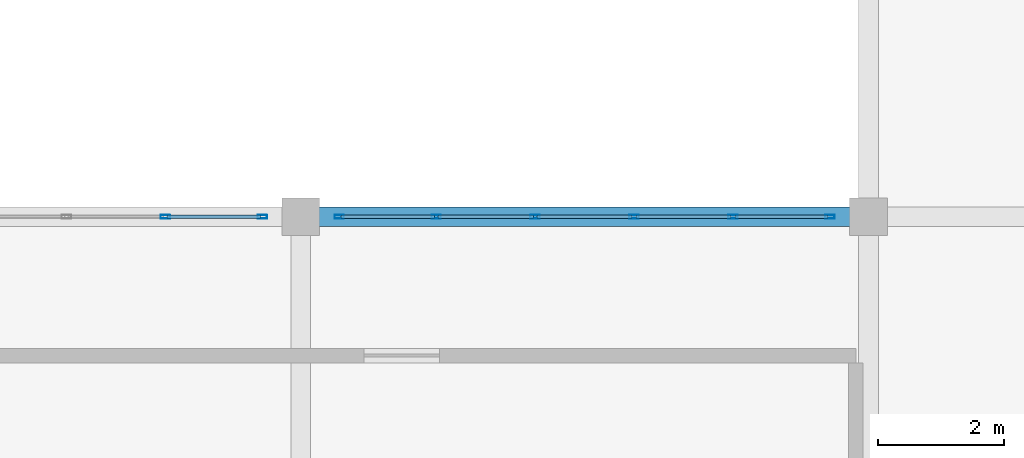
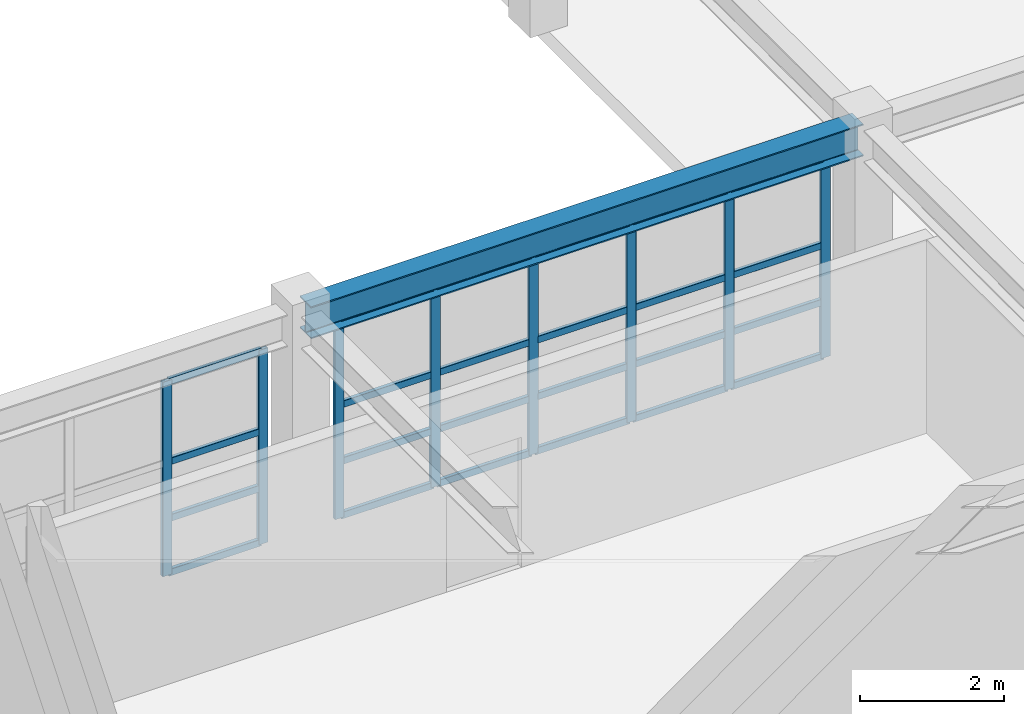
# One storey, part 76 of 130: 32 members, 1 beam, 2 elements without a shape of their own.
"""IFC4 building model written with IfcOpenShell, lengths in metres."""

from ifc_helpers import new_model, si_unit, direction, frame, origin, origin_2d, place, context, subcontext, project, spatial, hollow_rectangle, i_section, extrude, material, material_profile, profile_set, type_object, element, aggregate, save


model = new_model("IFC4")

# Units and contexts
model_context = context("Model", 3, precision=1e-05, world=origin(), true_north=direction((0.0, 1.0)))
body_context = subcontext(model_context, "Body", "Model", "MODEL_VIEW")
ifc_project = project(units=[si_unit("LENGTHUNIT", "METRE"), si_unit("AREAUNIT", "SQUARE_METRE"), si_unit("VOLUMEUNIT", "CUBIC_METRE"), si_unit("PLANEANGLEUNIT", "RADIAN"), si_unit("MASSUNIT", "GRAM", prefix="KILO")], contexts=[model_context])

# Site, building, storey
site_placement = place(None, origin())
site = spatial("IfcSite", under=ifc_project, at=site_placement, CompositionType="ELEMENT")
building_placement = place(site_placement, origin())
building = spatial("IfcBuilding", under=site, at=building_placement, Name="Miravela Opera House", CompositionType="ELEMENT")
storey_placement = place(building_placement, frame((0.0, 0.0, 9.52001953125)))
storey = spatial("IfcBuildingStorey", under=building, at=storey_placement, Name="L02", CompositionType="ELEMENT", Elevation=9.52001953125)

# Curtain wall, members
ifc_material_1 = material(Name="Anodised architectural bronze aluminium 6063-T6", Category="aluminium")
curtain_wall_type = type_object("IfcCurtainWallType", Name="ARC-CW-06", PredefinedType="NOTDEFINED", material=ifc_material_1)
curtain_wall_1_placement = place(storey_placement, origin())
curtain_wall_1 = element("IfcCurtainWall", 1, at=curtain_wall_1_placement, inside=storey, type_object=curtain_wall_type, Name="Courtyard Arcade Curtain Wall CW-L02-187", PredefinedType="NOTDEFINED")
ifc_material_profile_1 = material_profile(ifc_material_1, hollow_rectangle(XDim=0.06005859375, YDim=0.14990234375, WallThickness=0.00390625, InnerFilletRadius=0.001953125, OuterFilletRadius=0.00390625, at=origin_2d()), Name="CWM-60X150")
ifc_profile_set_1 = profile_set([ifc_material_profile_1])
member_type_1 = type_object("IfcMemberType", Name="ARC-CWM-150", PredefinedType="MULLION", material=ifc_profile_set_1)
member_1_placement = place(storey_placement, frame((132.85205078125, 9.0, 0.0), z_axis=(0.0, 0.0, 1.0), x_axis=(0.0, 1.0, 0.0)))
member_1 = element("IfcMember", 2, at=member_1_placement, type_object=member_type_1, Name="CW-06 mullion 5", PredefinedType="MULLION", context=body_context, shape_type="SweptSolid", body=[
    extrude(hollow_rectangle(XDim=0.06005859375, YDim=0.14990234375, WallThickness=0.00390625, InnerFilletRadius=0.001953125, OuterFilletRadius=0.00390625, at=origin_2d()), origin(), (0.0, 0.0, 1.0), 3.2900390625),
])
member_2_placement = place(storey_placement, frame((134.389892578125, 9.0, 0.0), z_axis=(0.0, 0.0, 1.0), x_axis=(0.0, 1.0, 0.0)))
member_2 = element("IfcMember", 3, at=member_2_placement, type_object=member_type_1, Name="CW-06 mullion 6", PredefinedType="MULLION", context=body_context, shape_type="SweptSolid", body=[
    extrude(hollow_rectangle(XDim=0.06005859375, YDim=0.14990234375, WallThickness=0.00390625, InnerFilletRadius=0.001953125, OuterFilletRadius=0.00390625, at=origin_2d()), origin(), (0.0, 0.0, 1.0), 3.2900390625),
])

curtain_wall_2_placement = place(storey_placement, origin())
curtain_wall_2 = element("IfcCurtainWall", 4, at=curtain_wall_2_placement, inside=storey, type_object=curtain_wall_type, Name="Courtyard Arcade Curtain Wall CW-L02-191", PredefinedType="NOTDEFINED")
member_3_placement = place(storey_placement, frame((135.610107421875, 9.0, 0.0), z_axis=(0.0, 0.0, 1.0), x_axis=(0.0, 1.0, 0.0)))
member_3 = element("IfcMember", 5, at=member_3_placement, type_object=member_type_1, Name="CW-06 mullion 1", PredefinedType="MULLION", context=body_context, shape_type="SweptSolid", body=[
    extrude(hollow_rectangle(XDim=0.06005859375, YDim=0.14990234375, WallThickness=0.00390625, InnerFilletRadius=0.001953125, OuterFilletRadius=0.00390625, at=origin_2d()), origin(), (0.0, 0.0, 1.0), 3.2900390625),
])
member_4_placement = place(storey_placement, frame((137.14794921875, 9.0, 0.0), z_axis=(0.0, 0.0, 1.0), x_axis=(0.0, 1.0, 0.0)))
member_4 = element("IfcMember", 6, at=member_4_placement, type_object=member_type_1, Name="CW-06 mullion 2", PredefinedType="MULLION", context=body_context, shape_type="SweptSolid", body=[
    extrude(hollow_rectangle(XDim=0.06005859375, YDim=0.14990234375, WallThickness=0.00390625, InnerFilletRadius=0.001953125, OuterFilletRadius=0.00390625, at=origin_2d()), origin(), (0.0, 0.0, 1.0), 3.2900390625),
])
member_5_placement = place(storey_placement, frame((138.716064453125, 9.0, 0.0), z_axis=(0.0, 0.0, 1.0), x_axis=(0.0, 1.0, 0.0)))
member_5 = element("IfcMember", 7, at=member_5_placement, type_object=member_type_1, Name="CW-06 mullion 3", PredefinedType="MULLION", context=body_context, shape_type="SweptSolid", body=[
    extrude(hollow_rectangle(XDim=0.06005859375, YDim=0.14990234375, WallThickness=0.00390625, InnerFilletRadius=0.001953125, OuterFilletRadius=0.00390625, at=origin_2d()), origin(), (0.0, 0.0, 1.0), 3.2900390625),
])
member_6_placement = place(storey_placement, frame((140.283935546875, 9.0, 0.0), z_axis=(0.0, 0.0, 1.0), x_axis=(0.0, 1.0, 0.0)))
member_6 = element("IfcMember", 8, at=member_6_placement, type_object=member_type_1, Name="CW-06 mullion 4", PredefinedType="MULLION", context=body_context, shape_type="SweptSolid", body=[
    extrude(hollow_rectangle(XDim=0.06005859375, YDim=0.14990234375, WallThickness=0.00390625, InnerFilletRadius=0.001953125, OuterFilletRadius=0.00390625, at=origin_2d()), origin(), (0.0, 0.0, 1.0), 3.2900390625),
])
member_7_placement = place(storey_placement, frame((141.85205078125, 9.0, 0.0), z_axis=(0.0, 0.0, 1.0), x_axis=(0.0, 1.0, 0.0)))
member_7 = element("IfcMember", 9, at=member_7_placement, type_object=member_type_1, Name="CW-06 mullion 5", PredefinedType="MULLION", context=body_context, shape_type="SweptSolid", body=[
    extrude(hollow_rectangle(XDim=0.06005859375, YDim=0.14990234375, WallThickness=0.00390625, InnerFilletRadius=0.001953125, OuterFilletRadius=0.00390625, at=origin_2d()), origin(), (0.0, 0.0, 1.0), 3.2900390625),
])
member_8_placement = place(storey_placement, frame((143.389892578125, 9.0, 0.0), z_axis=(0.0, 0.0, 1.0), x_axis=(0.0, 1.0, 0.0)))
member_8 = element("IfcMember", 10, at=member_8_placement, type_object=member_type_1, Name="CW-06 mullion 6", PredefinedType="MULLION", context=body_context, shape_type="SweptSolid", body=[
    extrude(hollow_rectangle(XDim=0.06005859375, YDim=0.14990234375, WallThickness=0.00390625, InnerFilletRadius=0.001953125, OuterFilletRadius=0.00390625, at=origin_2d()), origin(), (0.0, 0.0, 1.0), 3.2900390625),
])

# Member
ifc_material_profile_2 = material_profile(ifc_material_1, hollow_rectangle(XDim=0.06005859375, YDim=0.114990234375, WallThickness=0.00390625, InnerFilletRadius=0.001953125, OuterFilletRadius=0.00390625, at=origin_2d()), Name="CWT-60X115")
ifc_profile_set_2 = profile_set([ifc_material_profile_2])
member_type_2 = type_object("IfcMemberType", Name="ARC-CWT-115", PredefinedType="USERDEFINED", material=ifc_profile_set_2)
member_9_placement = place(storey_placement, frame((132.882080078125, 9.0, 0.030029296875), z_axis=(1.0, 0.0, 0.0), x_axis=(0.0, 1.0, 0.0)))
member_9 = element("IfcMember", 11, at=member_9_placement, type_object=member_type_2, Name="CW-06 transom 5.1", ObjectType="TRANSOM", PredefinedType="USERDEFINED", context=body_context, shape_type="SweptSolid", body=[
    extrude(hollow_rectangle(XDim=0.06005859375, YDim=0.114990234375, WallThickness=0.00390625, InnerFilletRadius=0.001953125, OuterFilletRadius=0.00390625, at=origin_2d()), origin(), (0.0, 0.0, 1.0), 1.47802734375),
])

member_10_placement = place(storey_placement, frame((132.882080078125, 9.0, 0.949951171875), z_axis=(1.0, 0.0, 0.0), x_axis=(0.0, 1.0, 0.0)))
member_10 = element("IfcMember", 12, at=member_10_placement, type_object=member_type_2, Name="CW-06 transom 5.2", ObjectType="TRANSOM", PredefinedType="USERDEFINED", context=body_context, shape_type="SweptSolid", body=[
    extrude(hollow_rectangle(XDim=0.06005859375, YDim=0.114990234375, WallThickness=0.00390625, InnerFilletRadius=0.001953125, OuterFilletRadius=0.00390625, at=origin_2d()), origin(), (0.0, 0.0, 1.0), 1.47802734375),
])

member_11_placement = place(storey_placement, frame((132.882080078125, 9.0, 1.908203125), z_axis=(1.0, 0.0, 0.0), x_axis=(0.0, 1.0, 0.0)))
member_11 = element("IfcMember", 13, at=member_11_placement, type_object=member_type_2, Name="CW-06 transom 5.3", ObjectType="TRANSOM", PredefinedType="USERDEFINED", context=body_context, shape_type="SweptSolid", body=[
    extrude(hollow_rectangle(XDim=0.06005859375, YDim=0.114990234375, WallThickness=0.00390625, InnerFilletRadius=0.001953125, OuterFilletRadius=0.00390625, at=origin_2d()), origin(), (0.0, 0.0, 1.0), 1.47802734375),
])

member_12_placement = place(storey_placement, frame((132.882080078125, 9.0, 3.260009765625), z_axis=(1.0, 0.0, 0.0), x_axis=(0.0, 1.0, 0.0)))
member_12 = element("IfcMember", 14, at=member_12_placement, type_object=member_type_2, Name="CW-06 transom 5.4", ObjectType="TRANSOM", PredefinedType="USERDEFINED", context=body_context, shape_type="SweptSolid", body=[
    extrude(hollow_rectangle(XDim=0.06005859375, YDim=0.114990234375, WallThickness=0.00390625, InnerFilletRadius=0.001953125, OuterFilletRadius=0.00390625, at=origin_2d()), origin(), (0.0, 0.0, 1.0), 1.47802734375),
])

aggregate(curtain_wall_1, [member_1, member_2, member_9, member_10, member_11, member_12])

member_13_placement = place(storey_placement, frame((135.639892578125, 9.0, 0.030029296875), z_axis=(1.0, 0.0, 0.0), x_axis=(0.0, 1.0, 0.0)))
member_13 = element("IfcMember", 15, at=member_13_placement, type_object=member_type_2, Name="CW-06 transom 1.1", ObjectType="TRANSOM", PredefinedType="USERDEFINED", context=body_context, shape_type="SweptSolid", body=[
    extrude(hollow_rectangle(XDim=0.06005859375, YDim=0.114990234375, WallThickness=0.00390625, InnerFilletRadius=0.001953125, OuterFilletRadius=0.00390625, at=origin_2d()), origin(), (0.0, 0.0, 1.0), 1.47802734375),
])

member_14_placement = place(storey_placement, frame((135.639892578125, 9.0, 0.949951171875), z_axis=(1.0, 0.0, 0.0), x_axis=(0.0, 1.0, 0.0)))
member_14 = element("IfcMember", 16, at=member_14_placement, type_object=member_type_2, Name="CW-06 transom 1.2", ObjectType="TRANSOM", PredefinedType="USERDEFINED", context=body_context, shape_type="SweptSolid", body=[
    extrude(hollow_rectangle(XDim=0.06005859375, YDim=0.114990234375, WallThickness=0.00390625, InnerFilletRadius=0.001953125, OuterFilletRadius=0.00390625, at=origin_2d()), origin(), (0.0, 0.0, 1.0), 1.47802734375),
])

member_15_placement = place(storey_placement, frame((135.639892578125, 9.0, 1.908203125), z_axis=(1.0, 0.0, 0.0), x_axis=(0.0, 1.0, 0.0)))
member_15 = element("IfcMember", 17, at=member_15_placement, type_object=member_type_2, Name="CW-06 transom 1.3", ObjectType="TRANSOM", PredefinedType="USERDEFINED", context=body_context, shape_type="SweptSolid", body=[
    extrude(hollow_rectangle(XDim=0.06005859375, YDim=0.114990234375, WallThickness=0.00390625, InnerFilletRadius=0.001953125, OuterFilletRadius=0.00390625, at=origin_2d()), origin(), (0.0, 0.0, 1.0), 1.47802734375),
])

member_16_placement = place(storey_placement, frame((135.639892578125, 9.0, 3.260009765625), z_axis=(1.0, 0.0, 0.0), x_axis=(0.0, 1.0, 0.0)))
member_16 = element("IfcMember", 18, at=member_16_placement, type_object=member_type_2, Name="CW-06 transom 1.4", ObjectType="TRANSOM", PredefinedType="USERDEFINED", context=body_context, shape_type="SweptSolid", body=[
    extrude(hollow_rectangle(XDim=0.06005859375, YDim=0.114990234375, WallThickness=0.00390625, InnerFilletRadius=0.001953125, OuterFilletRadius=0.00390625, at=origin_2d()), origin(), (0.0, 0.0, 1.0), 1.47802734375),
])

member_17_placement = place(storey_placement, frame((137.177978515625, 9.0, 0.030029296875), z_axis=(1.0, 0.0, 0.0), x_axis=(0.0, 1.0, 0.0)))
member_17 = element("IfcMember", 19, at=member_17_placement, type_object=member_type_2, Name="CW-06 transom 2.1", ObjectType="TRANSOM", PredefinedType="USERDEFINED", context=body_context, shape_type="SweptSolid", body=[
    extrude(hollow_rectangle(XDim=0.06005859375, YDim=0.114990234375, WallThickness=0.00390625, InnerFilletRadius=0.001953125, OuterFilletRadius=0.00390625, at=origin_2d()), origin(), (0.0, 0.0, 1.0), 1.508056640625),
])

member_18_placement = place(storey_placement, frame((137.177978515625, 9.0, 0.949951171875), z_axis=(1.0, 0.0, 0.0), x_axis=(0.0, 1.0, 0.0)))
member_18 = element("IfcMember", 20, at=member_18_placement, type_object=member_type_2, Name="CW-06 transom 2.2", ObjectType="TRANSOM", PredefinedType="USERDEFINED", context=body_context, shape_type="SweptSolid", body=[
    extrude(hollow_rectangle(XDim=0.06005859375, YDim=0.114990234375, WallThickness=0.00390625, InnerFilletRadius=0.001953125, OuterFilletRadius=0.00390625, at=origin_2d()), origin(), (0.0, 0.0, 1.0), 1.508056640625),
])

member_19_placement = place(storey_placement, frame((137.177978515625, 9.0, 1.908203125), z_axis=(1.0, 0.0, 0.0), x_axis=(0.0, 1.0, 0.0)))
member_19 = element("IfcMember", 21, at=member_19_placement, type_object=member_type_2, Name="CW-06 transom 2.3", ObjectType="TRANSOM", PredefinedType="USERDEFINED", context=body_context, shape_type="SweptSolid", body=[
    extrude(hollow_rectangle(XDim=0.06005859375, YDim=0.114990234375, WallThickness=0.00390625, InnerFilletRadius=0.001953125, OuterFilletRadius=0.00390625, at=origin_2d()), origin(), (0.0, 0.0, 1.0), 1.508056640625),
])

member_20_placement = place(storey_placement, frame((137.177978515625, 9.0, 3.260009765625), z_axis=(1.0, 0.0, 0.0), x_axis=(0.0, 1.0, 0.0)))
member_20 = element("IfcMember", 22, at=member_20_placement, type_object=member_type_2, Name="CW-06 transom 2.4", ObjectType="TRANSOM", PredefinedType="USERDEFINED", context=body_context, shape_type="SweptSolid", body=[
    extrude(hollow_rectangle(XDim=0.06005859375, YDim=0.114990234375, WallThickness=0.00390625, InnerFilletRadius=0.001953125, OuterFilletRadius=0.00390625, at=origin_2d()), origin(), (0.0, 0.0, 1.0), 1.508056640625),
])

member_21_placement = place(storey_placement, frame((138.74609375, 9.0, 0.030029296875), z_axis=(1.0, 0.0, 0.0), x_axis=(0.0, 1.0, 0.0)))
member_21 = element("IfcMember", 23, at=member_21_placement, type_object=member_type_2, Name="CW-06 transom 3.1", ObjectType="TRANSOM", PredefinedType="USERDEFINED", context=body_context, shape_type="SweptSolid", body=[
    extrude(hollow_rectangle(XDim=0.06005859375, YDim=0.114990234375, WallThickness=0.00390625, InnerFilletRadius=0.001953125, OuterFilletRadius=0.00390625, at=origin_2d()), origin(), (0.0, 0.0, 1.0), 1.5078125),
])

member_22_placement = place(storey_placement, frame((138.74609375, 9.0, 0.949951171875), z_axis=(1.0, 0.0, 0.0), x_axis=(0.0, 1.0, 0.0)))
member_22 = element("IfcMember", 24, at=member_22_placement, type_object=member_type_2, Name="CW-06 transom 3.2", ObjectType="TRANSOM", PredefinedType="USERDEFINED", context=body_context, shape_type="SweptSolid", body=[
    extrude(hollow_rectangle(XDim=0.06005859375, YDim=0.114990234375, WallThickness=0.00390625, InnerFilletRadius=0.001953125, OuterFilletRadius=0.00390625, at=origin_2d()), origin(), (0.0, 0.0, 1.0), 1.5078125),
])

member_23_placement = place(storey_placement, frame((138.74609375, 9.0, 1.908203125), z_axis=(1.0, 0.0, 0.0), x_axis=(0.0, 1.0, 0.0)))
member_23 = element("IfcMember", 25, at=member_23_placement, type_object=member_type_2, Name="CW-06 transom 3.3", ObjectType="TRANSOM", PredefinedType="USERDEFINED", context=body_context, shape_type="SweptSolid", body=[
    extrude(hollow_rectangle(XDim=0.06005859375, YDim=0.114990234375, WallThickness=0.00390625, InnerFilletRadius=0.001953125, OuterFilletRadius=0.00390625, at=origin_2d()), origin(), (0.0, 0.0, 1.0), 1.5078125),
])

member_24_placement = place(storey_placement, frame((138.74609375, 9.0, 3.260009765625), z_axis=(1.0, 0.0, 0.0), x_axis=(0.0, 1.0, 0.0)))
member_24 = element("IfcMember", 26, at=member_24_placement, type_object=member_type_2, Name="CW-06 transom 3.4", ObjectType="TRANSOM", PredefinedType="USERDEFINED", context=body_context, shape_type="SweptSolid", body=[
    extrude(hollow_rectangle(XDim=0.06005859375, YDim=0.114990234375, WallThickness=0.00390625, InnerFilletRadius=0.001953125, OuterFilletRadius=0.00390625, at=origin_2d()), origin(), (0.0, 0.0, 1.0), 1.5078125),
])

member_25_placement = place(storey_placement, frame((140.31396484375, 9.0, 0.030029296875), z_axis=(1.0, 0.0, 0.0), x_axis=(0.0, 1.0, 0.0)))
member_25 = element("IfcMember", 27, at=member_25_placement, type_object=member_type_2, Name="CW-06 transom 4.1", ObjectType="TRANSOM", PredefinedType="USERDEFINED", context=body_context, shape_type="SweptSolid", body=[
    extrude(hollow_rectangle(XDim=0.06005859375, YDim=0.114990234375, WallThickness=0.00390625, InnerFilletRadius=0.001953125, OuterFilletRadius=0.00390625, at=origin_2d()), origin(), (0.0, 0.0, 1.0), 1.508056640625),
])

member_26_placement = place(storey_placement, frame((140.31396484375, 9.0, 0.949951171875), z_axis=(1.0, 0.0, 0.0), x_axis=(0.0, 1.0, 0.0)))
member_26 = element("IfcMember", 28, at=member_26_placement, type_object=member_type_2, Name="CW-06 transom 4.2", ObjectType="TRANSOM", PredefinedType="USERDEFINED", context=body_context, shape_type="SweptSolid", body=[
    extrude(hollow_rectangle(XDim=0.06005859375, YDim=0.114990234375, WallThickness=0.00390625, InnerFilletRadius=0.001953125, OuterFilletRadius=0.00390625, at=origin_2d()), origin(), (0.0, 0.0, 1.0), 1.508056640625),
])

member_27_placement = place(storey_placement, frame((140.31396484375, 9.0, 1.908203125), z_axis=(1.0, 0.0, 0.0), x_axis=(0.0, 1.0, 0.0)))
member_27 = element("IfcMember", 29, at=member_27_placement, type_object=member_type_2, Name="CW-06 transom 4.3", ObjectType="TRANSOM", PredefinedType="USERDEFINED", context=body_context, shape_type="SweptSolid", body=[
    extrude(hollow_rectangle(XDim=0.06005859375, YDim=0.114990234375, WallThickness=0.00390625, InnerFilletRadius=0.001953125, OuterFilletRadius=0.00390625, at=origin_2d()), origin(), (0.0, 0.0, 1.0), 1.508056640625),
])

member_28_placement = place(storey_placement, frame((140.31396484375, 9.0, 3.260009765625), z_axis=(1.0, 0.0, 0.0), x_axis=(0.0, 1.0, 0.0)))
member_28 = element("IfcMember", 30, at=member_28_placement, type_object=member_type_2, Name="CW-06 transom 4.4", ObjectType="TRANSOM", PredefinedType="USERDEFINED", context=body_context, shape_type="SweptSolid", body=[
    extrude(hollow_rectangle(XDim=0.06005859375, YDim=0.114990234375, WallThickness=0.00390625, InnerFilletRadius=0.001953125, OuterFilletRadius=0.00390625, at=origin_2d()), origin(), (0.0, 0.0, 1.0), 1.508056640625),
])

member_29_placement = place(storey_placement, frame((141.882080078125, 9.0, 0.030029296875), z_axis=(1.0, 0.0, 0.0), x_axis=(0.0, 1.0, 0.0)))
member_29 = element("IfcMember", 31, at=member_29_placement, type_object=member_type_2, Name="CW-06 transom 5.1", ObjectType="TRANSOM", PredefinedType="USERDEFINED", context=body_context, shape_type="SweptSolid", body=[
    extrude(hollow_rectangle(XDim=0.06005859375, YDim=0.114990234375, WallThickness=0.00390625, InnerFilletRadius=0.001953125, OuterFilletRadius=0.00390625, at=origin_2d()), origin(), (0.0, 0.0, 1.0), 1.47802734375),
])

member_30_placement = place(storey_placement, frame((141.882080078125, 9.0, 0.949951171875), z_axis=(1.0, 0.0, 0.0), x_axis=(0.0, 1.0, 0.0)))
member_30 = element("IfcMember", 32, at=member_30_placement, type_object=member_type_2, Name="CW-06 transom 5.2", ObjectType="TRANSOM", PredefinedType="USERDEFINED", context=body_context, shape_type="SweptSolid", body=[
    extrude(hollow_rectangle(XDim=0.06005859375, YDim=0.114990234375, WallThickness=0.00390625, InnerFilletRadius=0.001953125, OuterFilletRadius=0.00390625, at=origin_2d()), origin(), (0.0, 0.0, 1.0), 1.47802734375),
])

member_31_placement = place(storey_placement, frame((141.882080078125, 9.0, 1.908203125), z_axis=(1.0, 0.0, 0.0), x_axis=(0.0, 1.0, 0.0)))
member_31 = element("IfcMember", 33, at=member_31_placement, type_object=member_type_2, Name="CW-06 transom 5.3", ObjectType="TRANSOM", PredefinedType="USERDEFINED", context=body_context, shape_type="SweptSolid", body=[
    extrude(hollow_rectangle(XDim=0.06005859375, YDim=0.114990234375, WallThickness=0.00390625, InnerFilletRadius=0.001953125, OuterFilletRadius=0.00390625, at=origin_2d()), origin(), (0.0, 0.0, 1.0), 1.47802734375),
])

member_32_placement = place(storey_placement, frame((141.882080078125, 9.0, 3.260009765625), z_axis=(1.0, 0.0, 0.0), x_axis=(0.0, 1.0, 0.0)))
member_32 = element("IfcMember", 34, at=member_32_placement, type_object=member_type_2, Name="CW-06 transom 5.4", ObjectType="TRANSOM", PredefinedType="USERDEFINED", context=body_context, shape_type="SweptSolid", body=[
    extrude(hollow_rectangle(XDim=0.06005859375, YDim=0.114990234375, WallThickness=0.00390625, InnerFilletRadius=0.001953125, OuterFilletRadius=0.00390625, at=origin_2d()), origin(), (0.0, 0.0, 1.0), 1.47802734375),
])

aggregate(curtain_wall_2, [member_3, member_4, member_5, member_6, member_7, member_8, member_13, member_14, member_15, member_16, member_17, member_18, member_19, member_20, member_21, member_22, member_23, member_24, member_25, member_26, member_27, member_28, member_29, member_30, member_31, member_32])

# Beam
ifc_material_2 = material(Name="Structural steel ASTM A992 Gr. 50", Category="steel")
ifc_material_profile_3 = material_profile(ifc_material_2, i_section(OverallWidth=0.31201171875, OverallDepth=0.54296875, WebThickness=0.0126953125, FlangeThickness=0.020263671875, FilletRadius=0.01611328125, at=origin_2d()), Name="W530X150")
ifc_profile_set_3 = profile_set([ifc_material_profile_3])
beam_type = type_object("IfcBeamType", Name="STR-BM-W530X150", PredefinedType="BEAM", material=ifc_profile_set_3)
beam_placement = place(storey_placement, frame((135.080078125, 9.0, 3.568359375), z_axis=(1.0, 0.0, 0.0), x_axis=(0.0, 1.0, 0.0)))
element("IfcBeam", 35, at=beam_placement, inside=storey, type_object=beam_type, Name="Roof Eave Girder ROOF-V4-SE N6", PredefinedType="BEAM", context=body_context, shape_type="SweptSolid", body=[
    extrude(i_section(OverallWidth=0.31201171875, OverallDepth=0.54296875, WebThickness=0.0126953125, FlangeThickness=0.020263671875, FilletRadius=0.01611328125, at=origin_2d()), origin(), (0.0, 0.0, 1.0), 8.83984375),
])

save(model, "model.ifc")
